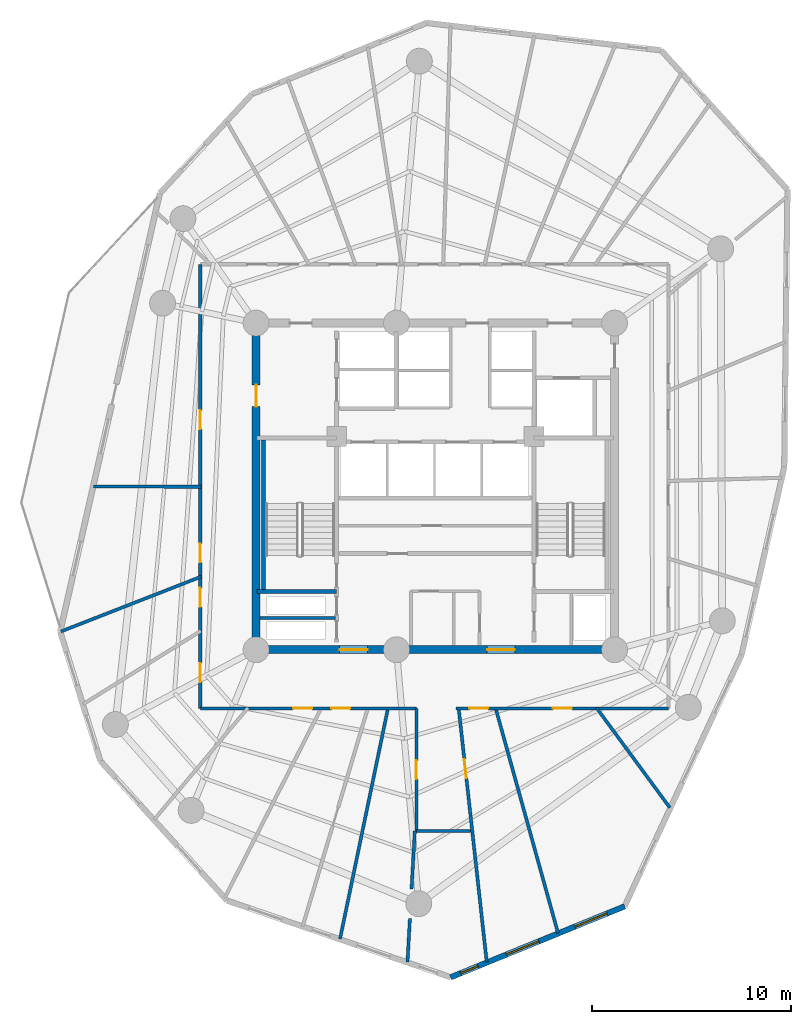
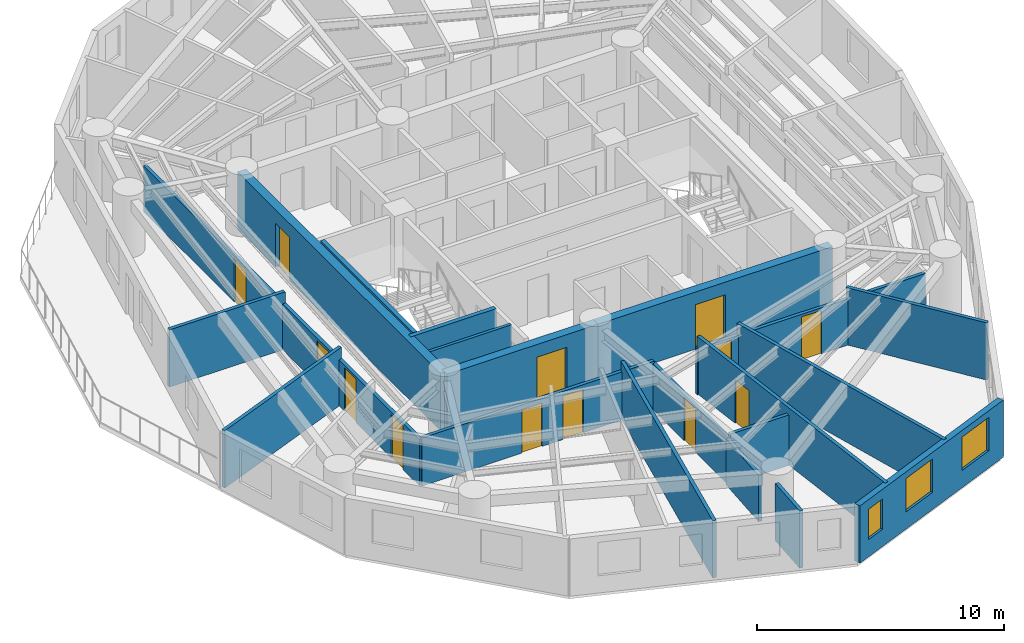
# One storey, part 3 of 9: 20 walls, 13 doors, 3 windows, 16 openings.
"""IFC4 building model written with IfcOpenShell, lengths in metres."""

from ifc_helpers import new_model, si_unit, direction, frame, frame_2d, origin, origin_with_axes, place, context, subcontext, project, spatial, rectangle, extrude, source, transform, mapped, material, layer, layer_set, type_object, element, fill, save


model = new_model("IFC4")

# Units and contexts
model_context = context("Model", 3, precision=1e-05, world=origin(), true_north=direction((0.0, 1.0)))
body_context = subcontext(model_context, "Body", "Model", "MODEL_VIEW")
ifc_project = project(units=[si_unit("LENGTHUNIT", "METRE"), si_unit("AREAUNIT", "SQUARE_METRE"), si_unit("VOLUMEUNIT", "CUBIC_METRE"), si_unit("PLANEANGLEUNIT", "RADIAN"), si_unit("MASSUNIT", "GRAM", prefix="KILO")], contexts=[model_context])

# Site, building, storey
site_placement = place(None, origin())
site = spatial("IfcSite", under=ifc_project, at=site_placement, CompositionType="ELEMENT")
building_placement = place(site_placement, origin())
building = spatial("IfcBuilding", under=site, at=building_placement, Name="Karkom Vertical University and Central Library", CompositionType="ELEMENT")
storey_placement = place(building_placement, frame((0.0, 0.0, 156.550048828125)))
storey = spatial("IfcBuildingStorey", under=building, at=storey_placement, Name="L44", CompositionType="ELEMENT", Elevation=156.550048828125)

# Wall, openings, windows
ifc_material_1 = material(Name="Brick-faced precast concrete C45/55", Category="masonry")
ifc_layer_1 = layer(ifc_material_1, 0.280029296875)
ifc_layer_set_1 = layer_set([ifc_layer_1], Name="Brick-faced precast concrete C45/55")
wall_type_1 = type_object("IfcWallType", Name="ENV-WL-BRK-280", PredefinedType="SOLIDWALL", material=ifc_layer_set_1)
wall_1_placement = place(storey_placement, frame((29.265380859375, 1.85009765625, 0.0), z_axis=(0.0, 0.0, 1.0), x_axis=(0.925942104455, 0.377665485842, 0.0)))
wall_1 = element("IfcWall", 1, at=wall_1_placement, inside=storey, type_object=wall_type_1, Name="Level 44 Brick-Faced Precast Facade Wall 04", PredefinedType="SOLIDWALL", context=body_context, shape_type="SweptSolid", body=[
    extrude(rectangle(XDim=9.44580078125, YDim=0.280029296875, at=frame_2d((4.722900390625, 0.0))), origin(), (0.0, 0.0, 1.0), 2.824951171875),
])
opening_1_placement = place(wall_1_placement, frame((0.54638671875, 0.0, 0.85009765625)))
opening_1 = element("IfcOpeningElement", 2, at=opening_1_placement, cuts=wall_1, Name="Opening WN-12", PredefinedType="OPENING", context=body_context, shape_type="SweptSolid", body=[
    extrude(rectangle(XDim=0.949951171875, YDim=1.5, at=frame_2d((0.47509765625, 0.75))), frame((0.0, 0.14990234375, 0.0), z_axis=(0.0, -1.0, 0.0), x_axis=(1.0, 0.0, 0.0)), (0.0, 0.0, 1.0), 0.300048828125),
])
opening_2_placement = place(wall_1_placement, frame((3.0361328125, 0.0, 0.85009765625)))
opening_2 = element("IfcOpeningElement", 3, at=opening_2_placement, cuts=wall_1, Name="Opening WN-08", PredefinedType="OPENING", context=body_context, shape_type="SweptSolid", body=[
    extrude(rectangle(XDim=1.75, YDim=1.64990234375, at=frame_2d((0.875, 0.824951171875))), frame((0.0, 0.14990234375, 0.0), z_axis=(0.0, -1.0, 0.0), x_axis=(1.0, 0.0, 0.0)), (0.0, 0.0, 1.0), 0.300048828125),
])
opening_3_placement = place(wall_1_placement, frame((6.73779296875, 0.0, 0.85009765625)))
opening_3 = element("IfcOpeningElement", 4, at=opening_3_placement, cuts=wall_1, Name="Opening WN-08", PredefinedType="OPENING", context=body_context, shape_type="SweptSolid", body=[
    extrude(rectangle(XDim=1.75, YDim=1.64990234375, at=frame_2d((0.875, 0.824951171875))), frame((0.0, 0.14990234375, 0.0), z_axis=(0.0, -1.0, 0.0), x_axis=(1.0, 0.0, 0.0)), (0.0, 0.0, 1.0), 0.300048828125),
])
ifc_material_2 = material(Name="Aluminium thermal-break frame with solar-control IGU", Category="aluminium")
window_type_1 = type_object("IfcWindowType", Name="ENV-WIN-WN-12", PartitioningType="SINGLE_PANEL", PredefinedType="WINDOW", material=ifc_material_2)
shared_shape_1 = source(origin_with_axes(), body_context, "Body", "SweptSolid", [
    extrude(rectangle(XDim=0.949951171875, YDim=1.5, at=frame_2d((0.47509765625, 0.75))), frame((0.0, 0.030029296875, 0.0), z_axis=(0.0, -1.0, 0.0), x_axis=(1.0, 0.0, 0.0)), (0.0, 0.0, 1.0), 0.06005859375),
])
window_1_placement = place(opening_1_placement, origin())
window_1 = element("IfcWindow", 5, at=window_1_placement, inside=storey, type_object=window_type_1, Name="Level 44 Punched Window 4.1", OverallHeight=1.5, OverallWidth=0.949951171875, PartitioningType="SINGLE_PANEL", PredefinedType="WINDOW", context=body_context, shape_type="MappedRepresentation", body=[
    mapped(shared_shape_1, transform((0.0, 0.0, 0.0), scale=1.0)),
])
fill(opening_1, window_1)
window_type_2 = type_object("IfcWindowType", Name="ENV-WIN-WN-08", PartitioningType="SINGLE_PANEL", PredefinedType="WINDOW", material=ifc_material_2)
shared_shape_2 = source(origin_with_axes(), body_context, "Body", "SweptSolid", [
    extrude(rectangle(XDim=1.75, YDim=1.64990234375, at=frame_2d((0.875, 0.824951171875))), frame((0.0, 0.030029296875, 0.0), z_axis=(0.0, -1.0, 0.0), x_axis=(1.0, 0.0, 0.0)), (0.0, 0.0, 1.0), 0.06005859375),
])
window_2_placement = place(opening_2_placement, origin())
window_2 = element("IfcWindow", 6, at=window_2_placement, inside=storey, type_object=window_type_2, Name="Level 44 Punched Window 4.2", OverallHeight=1.64990234375, OverallWidth=1.75, PartitioningType="SINGLE_PANEL", PredefinedType="WINDOW", context=body_context, shape_type="MappedRepresentation", body=[
    mapped(shared_shape_2, transform((0.0, 0.0, 0.0), scale=1.0)),
])
fill(opening_2, window_2)
window_3_placement = place(opening_3_placement, origin())
window_3 = element("IfcWindow", 7, at=window_3_placement, inside=storey, type_object=window_type_2, Name="Level 44 Punched Window 4.3", OverallHeight=1.64990234375, OverallWidth=1.75, PartitioningType="SINGLE_PANEL", PredefinedType="WINDOW", context=body_context, shape_type="MappedRepresentation", body=[
    mapped(shared_shape_2, transform((0.0, 0.0, 0.0), scale=1.0)),
])
fill(opening_3, window_3)

# Wall, openings, doors
ifc_material_3 = material(Name="Insulated metal-stud drywall 160mm", Category="gypsum")
ifc_layer_2 = layer(ifc_material_3, 0.159912109375)
ifc_layer_set_2 = layer_set([ifc_layer_2], Name="Insulated metal-stud drywall 160mm")
wall_type_2 = type_object("IfcWallType", Name="INT-WL-COR-160", PredefinedType="PARTITIONING", material=ifc_layer_set_2)
wall_2_placement = place(storey_placement, frame((16.699951171875, 15.35009765625, 0.0), z_axis=(0.0, 0.0, 1.0), x_axis=(0.0, 1.0, 0.0)))
wall_2 = element("IfcWall", 8, at=wall_2_placement, inside=storey, type_object=wall_type_2, Name="Level 44 Interior Partition Wall L44-CORW-CW-002", PredefinedType="PARTITIONING", context=body_context, shape_type="SweptSolid", body=[
    extrude(rectangle(XDim=22.2998046875, YDim=0.159912109375, at=frame_2d((11.14990234375, 0.0))), origin(), (0.0, 0.0, 1.0), 2.27490234375),
])
opening_4_placement = place(wall_2_placement, frame((7.330078125, 0.0, 0.0)))
opening_4 = element("IfcOpeningElement", 9, at=opening_4_placement, cuts=wall_2, Name="Opening D-RM1", PredefinedType="OPENING", context=body_context, shape_type="SweptSolid", body=[
    extrude(rectangle(XDim=0.949951171875, YDim=2.14990234375, at=frame_2d((0.47509765625, 1.074951171875))), frame((0.0, 0.08984375, 0.0), z_axis=(0.0, -1.0, 0.0), x_axis=(1.0, 0.0, 0.0)), (0.0, 0.0, 1.0), 0.179931640625),
])
opening_5_placement = place(wall_2_placement, frame((5.10009765625, 0.0, 0.0)))
opening_5 = element("IfcOpeningElement", 10, at=opening_5_placement, cuts=wall_2, Name="Opening FD-RM2", PredefinedType="OPENING", context=body_context, shape_type="SweptSolid", body=[
    extrude(rectangle(XDim=0.9599609375, YDim=2.14990234375, at=frame_2d((0.47998046875, 1.074951171875))), frame((0.0, 0.08984375, 0.0), z_axis=(0.0, -1.0, 0.0), x_axis=(1.0, 0.0, 0.0)), (0.0, 0.0, 1.0), 0.179931640625),
])
opening_6_placement = place(wall_2_placement, frame((1.328125, 0.0, 0.0)))
opening_6 = element("IfcOpeningElement", 11, at=opening_6_placement, cuts=wall_2, Name="Opening D-RM1", PredefinedType="OPENING", context=body_context, shape_type="SweptSolid", body=[
    extrude(rectangle(XDim=0.949951171875, YDim=2.14990234375, at=frame_2d((0.47509765625, 1.074951171875))), frame((0.0, 0.08984375, 0.0), z_axis=(0.0, -1.0, 0.0), x_axis=(1.0, 0.0, 0.0)), (0.0, 0.0, 1.0), 0.179931640625),
])
opening_7_placement = place(wall_2_placement, frame((14.02001953125, 0.0, 0.0)))
opening_7 = element("IfcOpeningElement", 12, at=opening_7_placement, cuts=wall_2, Name="Opening D-RM1", PredefinedType="OPENING", context=body_context, shape_type="SweptSolid", body=[
    extrude(rectangle(XDim=0.949951171875, YDim=2.14990234375, at=frame_2d((0.47509765625, 1.074951171875))), frame((0.0, 0.08984375, 0.0), z_axis=(0.0, -1.0, 0.0), x_axis=(1.0, 0.0, 0.0)), (0.0, 0.0, 1.0), 0.179931640625),
])
ifc_material_4 = material(Name="Fire-rated oak veneer door", Category="wood")
door_type_1 = type_object("IfcDoorType", Name="INT-DR-FRM2", OperationType="NOTDEFINED", PredefinedType="DOOR", material=ifc_material_4)
shared_shape_3 = source(origin_with_axes(), body_context, "Body", "SweptSolid", [
    extrude(rectangle(XDim=0.9599609375, YDim=2.14990234375, at=frame_2d((0.47998046875, 1.074951171875))), frame((0.0, 0.02490234375, 0.0), z_axis=(0.0, -1.0, 0.0), x_axis=(1.0, 0.0, 0.0)), (0.0, 0.0, 1.0), 0.050048828125),
])
door_1_placement = place(opening_5_placement, origin())
door_1 = element("IfcDoor", 13, at=door_1_placement, inside=storey, type_object=door_type_1, Name="Level 44 Room Entry Door 010", OperationType="SINGLE_SWING_RIGHT", OverallHeight=2.14990234375, OverallWidth=0.9599609375, PredefinedType="DOOR", context=body_context, shape_type="MappedRepresentation", body=[
    mapped(shared_shape_3, transform((0.0, 0.0, 0.0), scale=1.0)),
])
fill(opening_5, door_1)
ifc_material_5 = material(Name="Solid-core oak veneer door", Category="wood")
door_type_2 = type_object("IfcDoorType", Name="INT-DR-RM1", OperationType="NOTDEFINED", PredefinedType="DOOR", material=ifc_material_5)
shared_shape_4 = source(origin_with_axes(), body_context, "Body", "SweptSolid", [
    extrude(rectangle(XDim=0.949951171875, YDim=2.14990234375, at=frame_2d((0.47509765625, 1.074951171875))), frame((0.0, 0.02490234375, 0.0), z_axis=(0.0, -1.0, 0.0), x_axis=(1.0, 0.0, 0.0)), (0.0, 0.0, 1.0), 0.050048828125),
])
door_2_placement = place(opening_4_placement, origin())
door_2 = element("IfcDoor", 14, at=door_2_placement, inside=storey, type_object=door_type_2, Name="Level 44 Room Entry Door 000", OperationType="SINGLE_SWING_LEFT", OverallHeight=2.14990234375, OverallWidth=0.949951171875, PredefinedType="DOOR", context=body_context, shape_type="MappedRepresentation", body=[
    mapped(shared_shape_4, transform((0.0, 0.0, 0.0), scale=1.0)),
])
fill(opening_4, door_2)
door_3_placement = place(opening_6_placement, origin())
door_3 = element("IfcDoor", 15, at=door_3_placement, inside=storey, type_object=door_type_2, Name="Level 44 Room Entry Door 020", OperationType="SINGLE_SWING_LEFT", OverallHeight=2.14990234375, OverallWidth=0.949951171875, PredefinedType="DOOR", context=body_context, shape_type="MappedRepresentation", body=[
    mapped(shared_shape_4, transform((0.0, 0.0, 0.0), scale=1.0)),
])
fill(opening_6, door_3)
door_4_placement = place(opening_7_placement, origin())
door_4 = element("IfcDoor", 16, at=door_4_placement, inside=storey, type_object=door_type_2, Name="Level 44 Room Entry Door 230", OperationType="SINGLE_SWING_LEFT", OverallHeight=2.14990234375, OverallWidth=0.949951171875, PredefinedType="DOOR", context=body_context, shape_type="MappedRepresentation", body=[
    mapped(shared_shape_4, transform((0.0, 0.0, 0.0), scale=1.0)),
])
fill(opening_7, door_4)

# Wall, opening, door
wall_3_placement = place(storey_placement, frame((29.670166015625, 15.3798828125, 0.0), z_axis=(0.0, 0.0, 1.0), x_axis=(0.109963941435, -0.99393557718, 0.0)))
wall_3 = element("IfcWall", 17, at=wall_3_placement, inside=storey, type_object=wall_type_2, Name="Level 44 Interior Partition Wall L44-PW-010", PredefinedType="PARTITIONING", context=body_context, shape_type="SweptSolid", body=[
    extrude(rectangle(XDim=12.837158203125, YDim=0.159912109375, at=frame_2d((6.41845703125, 0.0))), origin(), (0.0, 0.0, 1.0), 2.824951171875),
])
opening_8_placement = place(wall_3_placement, frame((2.597900390625, 0.0, 0.0)))
opening_8 = element("IfcOpeningElement", 18, at=opening_8_placement, cuts=wall_3, Name="Opening D-RM1", PredefinedType="OPENING", context=body_context, shape_type="SweptSolid", body=[
    extrude(rectangle(XDim=0.949951171875, YDim=2.14990234375, at=frame_2d((0.47509765625, 1.074951171875))), frame((0.0, 0.08984375, 0.0), z_axis=(0.0, -1.0, 0.0), x_axis=(1.0, 0.0, 0.0)), (0.0, 0.0, 1.0), 0.179931640625),
])
door_5_placement = place(opening_8_placement, origin())
door_5 = element("IfcDoor", 19, at=door_5_placement, inside=storey, type_object=door_type_2, Name="Level 44 Room Entry Door 070", OperationType="SINGLE_SWING_LEFT", OverallHeight=2.14990234375, OverallWidth=0.949951171875, PredefinedType="DOOR", context=body_context, shape_type="MappedRepresentation", body=[
    mapped(shared_shape_4, transform((0.0, 0.0, 0.0), scale=1.0)),
])
fill(opening_8, door_5)

# Walls
wall_4_placement = place(storey_placement, frame((26.126708984375, 15.37939453125, 0.0), z_axis=(0.0, 0.0, 1.0), x_axis=(-0.203560877861, -0.979062290666, 0.0)))
element("IfcWall", 20, at=wall_4_placement, inside=storey, type_object=wall_type_2, Name="Level 44 Interior Partition Wall L44-PW-007", PredefinedType="PARTITIONING", context=body_context, shape_type="SweptSolid", body=[
    extrude(rectangle(XDim=11.84716796875, YDim=0.159912109375, at=frame_2d((5.923583984375, 0.0))), origin(), (0.0, 0.0, 1.0), 2.824951171875),
])
wall_5_placement = place(storey_placement, frame((31.5234375, 15.37890625, 0.0), z_axis=(0.0, 0.0, 1.0), x_axis=(0.267361493454, -0.963596301268, 0.0)))
element("IfcWall", 21, at=wall_5_placement, inside=storey, type_object=wall_type_2, Name="Level 44 Interior Partition Wall L44-PW-011", PredefinedType="PARTITIONING", context=body_context, shape_type="SweptSolid", body=[
    extrude(rectangle(XDim=11.728515625, YDim=0.159912109375, at=frame_2d((5.8642578125, 0.0))), origin(), (0.0, 0.0, 1.0), 2.824951171875),
])

# Wall, openings, doors
wall_6_placement = place(storey_placement, frame((27.550048828125, 15.35009765625, 0.0), z_axis=(0.0, 0.0, 1.0), x_axis=(-1.0, 0.0, 0.0)))
wall_6 = element("IfcWall", 22, at=wall_6_placement, inside=storey, type_object=wall_type_2, Name="Level 44 Interior Partition Wall L44-CORW-CW-001", PredefinedType="PARTITIONING", context=body_context, shape_type="SweptSolid", body=[
    extrude(rectangle(XDim=10.85009765625, YDim=0.159912109375, at=frame_2d((5.425048828125, 0.0))), origin(), (0.0, 0.0, 1.0), 2.375),
])
opening_9_placement = place(wall_6_placement, frame((5.239990234375, 0.0, 0.0)))
opening_9 = element("IfcOpeningElement", 23, at=opening_9_placement, cuts=wall_6, Name="Opening D-RM1", PredefinedType="OPENING", context=body_context, shape_type="SweptSolid", body=[
    extrude(rectangle(XDim=0.949951171875, YDim=2.14990234375, at=frame_2d((0.47509765625, 1.074951171875))), frame((0.0, 0.08984375, 0.0), z_axis=(0.0, -1.0, 0.0), x_axis=(1.0, 0.0, 0.0)), (0.0, 0.0, 1.0), 0.179931640625),
])
opening_10_placement = place(wall_6_placement, frame((3.322509765625, 0.0, 0.0)))
opening_10 = element("IfcOpeningElement", 24, at=opening_10_placement, cuts=wall_6, Name="Opening D-RM1", PredefinedType="OPENING", context=body_context, shape_type="SweptSolid", body=[
    extrude(rectangle(XDim=0.949951171875, YDim=2.14990234375, at=frame_2d((0.47509765625, 1.074951171875))), frame((0.0, 0.08984375, 0.0), z_axis=(0.0, -1.0, 0.0), x_axis=(1.0, 0.0, 0.0)), (0.0, 0.0, 1.0), 0.179931640625),
])
door_6_placement = place(opening_9_placement, origin())
door_6 = element("IfcDoor", 25, at=door_6_placement, inside=storey, type_object=door_type_2, Name="Level 44 Room Entry Door 030", OperationType="SINGLE_SWING_RIGHT", OverallHeight=2.14990234375, OverallWidth=0.949951171875, PredefinedType="DOOR", context=body_context, shape_type="MappedRepresentation", body=[
    mapped(shared_shape_4, transform((0.0, 0.0, 0.0), scale=1.0)),
])
fill(opening_9, door_6)
door_7_placement = place(opening_10_placement, origin())
door_7 = element("IfcDoor", 26, at=door_7_placement, inside=storey, type_object=door_type_2, Name="Level 44 Room Entry Door 040", OperationType="SINGLE_SWING_LEFT", OverallHeight=2.14990234375, OverallWidth=0.949951171875, PredefinedType="DOOR", context=body_context, shape_type="MappedRepresentation", body=[
    mapped(shared_shape_4, transform((0.0, 0.0, 0.0), scale=1.0)),
])
fill(opening_10, door_7)

wall_7_placement = place(storey_placement, frame((40.199951171875, 15.35009765625, 0.0), z_axis=(0.0, 0.0, 1.0), x_axis=(-1.0, 0.0, 0.0)))
wall_7 = element("IfcWall", 27, at=wall_7_placement, inside=storey, type_object=wall_type_2, Name="Level 44 Interior Partition Wall L44-CORW-CW-005", PredefinedType="PARTITIONING", context=body_context, shape_type="SweptSolid", body=[
    extrude(rectangle(XDim=10.64990234375, YDim=0.159912109375, at=frame_2d((5.324951171875, 0.0))), origin(), (0.0, 0.0, 1.0), 2.27490234375),
])
opening_11_placement = place(wall_7_placement, frame((9.046630859375, 0.0, 0.0)))
opening_11 = element("IfcOpeningElement", 28, at=opening_11_placement, cuts=wall_7, Name="Opening D-RM1", PredefinedType="OPENING", context=body_context, shape_type="SweptSolid", body=[
    extrude(rectangle(XDim=0.949951171875, YDim=2.14990234375, at=frame_2d((0.47509765625, 1.074951171875))), frame((0.0, 0.08984375, 0.0), z_axis=(0.0, -1.0, 0.0), x_axis=(1.0, 0.0, 0.0)), (0.0, 0.0, 1.0), 0.179931640625),
])
opening_12_placement = place(wall_7_placement, frame((4.85009765625, 0.0, 0.0)))
opening_12 = element("IfcOpeningElement", 29, at=opening_12_placement, cuts=wall_7, Name="Opening D-RM1", PredefinedType="OPENING", context=body_context, shape_type="SweptSolid", body=[
    extrude(rectangle(XDim=0.949951171875, YDim=2.14990234375, at=frame_2d((0.47509765625, 1.074951171875))), frame((0.0, 0.08984375, 0.0), z_axis=(0.0, -1.0, 0.0), x_axis=(1.0, 0.0, 0.0)), (0.0, 0.0, 1.0), 0.179931640625),
])
door_8_placement = place(opening_11_placement, origin())
door_8 = element("IfcDoor", 30, at=door_8_placement, inside=storey, type_object=door_type_2, Name="Level 44 Room Entry Door 080", OperationType="SINGLE_SWING_RIGHT", OverallHeight=2.14990234375, OverallWidth=0.949951171875, PredefinedType="DOOR", context=body_context, shape_type="MappedRepresentation", body=[
    mapped(shared_shape_4, transform((0.0, 0.0, 0.0), scale=1.0)),
])
fill(opening_11, door_8)
door_9_placement = place(opening_12_placement, origin())
door_9 = element("IfcDoor", 31, at=door_9_placement, inside=storey, type_object=door_type_2, Name="Level 44 Room Entry Door 090", OperationType="SINGLE_SWING_LEFT", OverallHeight=2.14990234375, OverallWidth=0.949951171875, PredefinedType="DOOR", context=body_context, shape_type="MappedRepresentation", body=[
    mapped(shared_shape_4, transform((0.0, 0.0, 0.0), scale=1.0)),
])
fill(opening_12, door_9)

# Walls
wall_8_placement = place(storey_placement, frame((16.741943359375, 21.968017578125, 0.0), z_axis=(0.0, 0.0, 1.0), x_axis=(-0.931359979556, -0.364099695799, 0.0)))
element("IfcWall", 32, at=wall_8_placement, inside=storey, type_object=wall_type_2, Name="Level 44 Interior Partition Wall L44-PW-001", PredefinedType="PARTITIONING", context=body_context, shape_type="SweptSolid", body=[
    extrude(rectangle(XDim=7.5576171875, YDim=0.159912109375, at=frame_2d((3.77880859375, 0.0))), origin(), (0.0, 0.0, 1.0), 2.824951171875),
])
wall_9_placement = place(storey_placement, frame((36.5888671875, 15.38623046875, 0.0), z_axis=(0.0, 0.0, 1.0), x_axis=(0.591975139888, -0.805956223224, 0.0)))
element("IfcWall", 33, at=wall_9_placement, inside=storey, type_object=wall_type_2, Name="Level 44 Interior Partition Wall L44-PW-012", PredefinedType="PARTITIONING", context=body_context, shape_type="SweptSolid", body=[
    extrude(rectangle(XDim=6.2294921875, YDim=0.159912109375, at=frame_2d((3.11474609375, 0.0))), origin(), (0.0, 0.0, 1.0), 2.824951171875),
])

# Wall, opening, door
wall_10_placement = place(storey_placement, frame((27.550048828125, 9.199951171875, 0.0), z_axis=(0.0, 0.0, 1.0), x_axis=(0.0, 1.0, 0.0)))
wall_10 = element("IfcWall", 34, at=wall_10_placement, inside=storey, type_object=wall_type_2, Name="Level 44 Interior Partition Wall L44-CORW-CW-008", PredefinedType="PARTITIONING", context=body_context, shape_type="SweptSolid", body=[
    extrude(rectangle(XDim=6.150146484375, YDim=0.159912109375, at=frame_2d((3.0751953125, 0.0))), origin(), (0.0, 0.0, 1.0), 2.27490234375),
])
opening_13_placement = place(wall_10_placement, frame((2.60009765625, 0.0, 0.0)))
opening_13 = element("IfcOpeningElement", 35, at=opening_13_placement, cuts=wall_10, Name="Opening D-RM1", PredefinedType="OPENING", context=body_context, shape_type="SweptSolid", body=[
    extrude(rectangle(XDim=0.949951171875, YDim=2.14990234375, at=frame_2d((0.47509765625, 1.074951171875))), frame((0.0, 0.08984375, 0.0), z_axis=(0.0, -1.0, 0.0), x_axis=(1.0, 0.0, 0.0)), (0.0, 0.0, 1.0), 0.179931640625),
])
door_10_placement = place(opening_13_placement, origin())
door_10 = element("IfcDoor", 36, at=door_10_placement, inside=storey, type_object=door_type_2, Name="Level 44 Room Entry Door 060", OperationType="SINGLE_SWING_RIGHT", OverallHeight=2.14990234375, OverallWidth=0.949951171875, PredefinedType="DOOR", context=body_context, shape_type="MappedRepresentation", body=[
    mapped(shared_shape_4, transform((0.0, 0.0, 0.0), scale=1.0)),
])
fill(opening_13, door_10)

# Walls
wall_11_placement = place(storey_placement, frame((11.34814453125, 26.499755859375, 0.0), z_axis=(0.0, 0.0, 1.0), x_axis=(0.999993933654, -0.003483196096, 0.0)))
element("IfcWall", 37, at=wall_11_placement, inside=storey, type_object=wall_type_2, Name="Level 44 Interior Partition Wall L44-PW-002", PredefinedType="PARTITIONING", context=body_context, shape_type="SweptSolid", body=[
    extrude(rectangle(XDim=5.39697265625, YDim=0.159912109375, at=frame_2d((2.698486328125, 0.0))), origin(), (0.0, 0.0, 1.0), 2.824951171875),
])
wall_12_placement = place(storey_placement, frame((27.469970703125, 9.191162109375, 0.0), z_axis=(0.0, 0.0, 1.0), x_axis=(-0.0559398618, -0.998434139972, 0.0)))
element("IfcWall", 38, at=wall_12_placement, inside=storey, type_object=wall_type_2, Name="Level 44 Interior Partition Wall L44-PW-008", PredefinedType="PARTITIONING", context=body_context, shape_type="SweptSolid", body=[
    extrude(rectangle(XDim=2.90673828125, YDim=0.159912109375, at=frame_2d((1.453369140625, 0.0))), origin(), (0.0, 0.0, 1.0), 2.27490234375),
])
wall_13_placement = place(storey_placement, frame((27.224365234375, 4.80908203125, 0.0), z_axis=(0.0, 0.0, 1.0), x_axis=(-0.055926613573, -0.99843488215, 0.0)))
element("IfcWall", 39, at=wall_13_placement, inside=storey, type_object=wall_type_2, Name="Level 44 Interior Partition Wall L44-PW-009", PredefinedType="PARTITIONING", context=body_context, shape_type="SweptSolid", body=[
    extrude(rectangle(XDim=2.19140625, YDim=0.159912109375, at=frame_2d((1.095703125, 0.0))), origin(), (0.0, 0.0, 1.0), 2.824951171875),
])
wall_14_placement = place(storey_placement, frame((30.266357421875, 9.199951171875, 0.0), z_axis=(0.0, 0.0, 1.0), x_axis=(-1.0, 0.0, 0.0)))
element("IfcWall", 40, at=wall_14_placement, inside=storey, type_object=wall_type_2, Name="Level 44 Interior Partition Wall L44-CORW-CW-007", PredefinedType="PARTITIONING", context=body_context, shape_type="SweptSolid", body=[
    extrude(rectangle(XDim=2.71630859375, YDim=0.159912109375, at=frame_2d((1.358154296875, 0.0))), origin(), (0.0, 0.0, 1.0), 2.494873046875),
])
ifc_material_6 = material(Name="Metal-stud gypsum partition 140mm", Category="gypsum")
ifc_layer_3 = layer(ifc_material_6, 0.139892578125)
ifc_layer_set_3 = layer_set([ifc_layer_3], Name="Metal-stud gypsum partition 140mm")
wall_type_3 = type_object("IfcWallType", Name="INT-WL-SUB-140H", PredefinedType="PARTITIONING", material=ifc_layer_set_3)
wall_15_placement = place(storey_placement, frame((19.70703125, 19.889892578125, 0.0), z_axis=(0.0, 0.0, 1.0), x_axis=(1.0, 0.0, 0.0)))
element("IfcWall", 41, at=wall_15_placement, inside=storey, type_object=wall_type_3, Name="Level 44 Interior Partition Wall L44-CW-RIS-W", PredefinedType="PARTITIONING", context=body_context, shape_type="SweptSolid", body=[
    extrude(rectangle(XDim=3.789794921875, YDim=0.139892578125, at=frame_2d((1.89501953125, 0.0))), origin(), (0.0, 0.0, 1.0), 2.824951171875),
])

# Wall, opening, door
ifc_material_7 = material(Name="Concrete C50/60", Category="concrete")
ifc_layer_4 = layer(ifc_material_7, 0.39990234375)
ifc_layer_set_4 = layer_set([ifc_layer_4], Name="Concrete C50/60")
wall_type_4 = type_object("IfcWallType", Name="STR-WL-CW-400", PredefinedType="SHEAR", material=ifc_layer_set_4)
wall_16_placement = place(storey_placement, frame((19.5, 18.300048828125, 0.0), z_axis=(0.0, 0.0, 1.0), x_axis=(1.0, 0.0, 0.0)))
wall_16 = element("IfcWall", 42, at=wall_16_placement, inside=storey, type_object=wall_type_4, Name="Level 44 Central Core Shear Wall SW1", PredefinedType="SHEAR", context=body_context, shape_type="SweptSolid", body=[
    extrude(rectangle(XDim=7.050048828125, YDim=0.39990234375, at=frame_2d((3.52490234375, 0.0))), origin(), (0.0, 0.0, 1.0), 2.824951171875),
])
opening_14_placement = place(wall_16_placement, frame((4.199951171875, 0.0, 0.0)))
opening_14 = element("IfcOpeningElement", 43, at=opening_14_placement, cuts=wall_16, Name="Opening FD-CLB", PredefinedType="OPENING", context=body_context, shape_type="SweptSolid", body=[
    extrude(rectangle(XDim=1.39990234375, YDim=2.199951171875, at=frame_2d((0.699951171875, 1.10009765625))), frame((0.0, 0.2099609375, 0.0), z_axis=(0.0, -1.0, 0.0), x_axis=(1.0, 0.0, 0.0)), (0.0, 0.0, 1.0), 0.419921875),
])
ifc_material_8 = material(Name="Painted steel fire door", Category="steel")
door_type_3 = type_object("IfcDoorType", Name="INT-DR-CLB", OperationType="DOUBLE_DOOR_SINGLE_SWING", PredefinedType="DOOR", material=ifc_material_8)
shared_shape_5 = source(origin_with_axes(), body_context, "Body", "SweptSolid", [
    extrude(rectangle(XDim=1.39990234375, YDim=2.199951171875, at=frame_2d((0.699951171875, 1.10009765625))), frame((0.0, 0.02490234375, 0.0), z_axis=(0.0, -1.0, 0.0), x_axis=(1.0, 0.0, 0.0)), (0.0, 0.0, 1.0), 0.050048828125),
])
door_11_placement = place(opening_14_placement, origin())
door_11 = element("IfcDoor", 44, at=door_11_placement, inside=storey, type_object=door_type_3, Name="Level 44 South Core Lobby West Exit Door", OperationType="DOUBLE_DOOR_SINGLE_SWING", OverallHeight=2.199951171875, OverallWidth=1.39990234375, PredefinedType="DOOR", context=body_context, shape_type="MappedRepresentation", body=[
    mapped(shared_shape_5, transform((0.0, 0.0, 0.0), scale=1.0)),
])
fill(opening_14, door_11)

wall_17_placement = place(storey_placement, frame((26.550048828125, 18.300048828125, 0.0), z_axis=(0.0, 0.0, 1.0), x_axis=(1.0, 0.0, 0.0)))
wall_17 = element("IfcWall", 45, at=wall_17_placement, inside=storey, type_object=wall_type_4, Name="Level 44 Central Core Shear Wall SW2", PredefinedType="SHEAR", context=body_context, shape_type="SweptSolid", body=[
    extrude(rectangle(XDim=10.949951171875, YDim=0.39990234375, at=frame_2d((5.47509765625, 0.0))), origin(), (0.0, 0.0, 1.0), 2.824951171875),
])
opening_15_placement = place(wall_17_placement, frame((4.550048828125, 0.0, 0.0)))
opening_15 = element("IfcOpeningElement", 46, at=opening_15_placement, cuts=wall_17, Name="Opening FD-CLB", PredefinedType="OPENING", context=body_context, shape_type="SweptSolid", body=[
    extrude(rectangle(XDim=1.39990234375, YDim=2.199951171875, at=frame_2d((0.699951171875, 1.10009765625))), frame((0.0, 0.2099609375, 0.0), z_axis=(0.0, -1.0, 0.0), x_axis=(1.0, 0.0, 0.0)), (0.0, 0.0, 1.0), 0.419921875),
])
door_12_placement = place(opening_15_placement, origin())
door_12 = element("IfcDoor", 47, at=door_12_placement, inside=storey, type_object=door_type_3, Name="Level 44 South Core Lobby East Exit Door", OperationType="DOUBLE_DOOR_SINGLE_SWING", OverallHeight=2.199951171875, OverallWidth=1.39990234375, PredefinedType="DOOR", context=body_context, shape_type="MappedRepresentation", body=[
    mapped(shared_shape_5, transform((0.0, 0.0, 0.0), scale=1.0)),
])
fill(opening_15, door_12)

wall_18_placement = place(storey_placement, frame((19.5, 34.699951171875, 0.0), z_axis=(0.0, 0.0, 1.0), x_axis=(0.0, -1.0, 0.0)))
wall_18 = element("IfcWall", 48, at=wall_18_placement, inside=storey, type_object=wall_type_4, Name="Level 44 Central Core Shear Wall WW", PredefinedType="SHEAR", context=body_context, shape_type="SweptSolid", body=[
    extrude(rectangle(XDim=16.39990234375, YDim=0.39990234375, at=frame_2d((8.199951171875, 0.0))), origin(), (0.0, 0.0, 1.0), 2.824951171875),
])
opening_16_placement = place(wall_18_placement, frame((3.10009765625, 0.0, 0.0)))
opening_16 = element("IfcOpeningElement", 49, at=opening_16_placement, cuts=wall_18, Name="Opening FD-FFL", PredefinedType="OPENING", context=body_context, shape_type="SweptSolid", body=[
    extrude(rectangle(XDim=1.10009765625, YDim=2.14990234375, at=frame_2d((0.550048828125, 1.074951171875))), frame((0.0, 0.2099609375, 0.0), z_axis=(0.0, -1.0, 0.0), x_axis=(1.0, 0.0, 0.0)), (0.0, 0.0, 1.0), 0.419921875),
])
ifc_material_9 = material(Name="Painted steel smoke-seal fire door", Category="steel")
door_type_4 = type_object("IfcDoorType", Name="INT-DR-FFL", OperationType="NOTDEFINED", PredefinedType="DOOR", material=ifc_material_9)
shared_shape_6 = source(origin_with_axes(), body_context, "Body", "SweptSolid", [
    extrude(rectangle(XDim=1.10009765625, YDim=2.14990234375, at=frame_2d((0.550048828125, 1.074951171875))), frame((0.0, 0.02490234375, 0.0), z_axis=(0.0, -1.0, 0.0), x_axis=(1.0, 0.0, 0.0)), (0.0, 0.0, 1.0), 0.050048828125),
])
door_13_placement = place(opening_16_placement, origin())
door_13 = element("IfcDoor", 50, at=door_13_placement, inside=storey, type_object=door_type_4, Name="Level 44 West Corridor Firefighting Lobby Door", OperationType="SINGLE_SWING_RIGHT", OverallHeight=2.14990234375, OverallWidth=1.10009765625, PredefinedType="DOOR", context=body_context, shape_type="MappedRepresentation", body=[
    mapped(shared_shape_6, transform((0.0, 0.0, 0.0), scale=1.0)),
])
fill(opening_16, door_13)

# Walls
ifc_material_10 = material(Name="Concrete C45/55", Category="concrete")
ifc_layer_5 = layer(ifc_material_10, 0.199951171875)
ifc_layer_set_5 = layer_set([ifc_layer_5], Name="Concrete C45/55")
wall_type_5 = type_object("IfcWallType", Name="STR-WL-ST-200", PredefinedType="SHEAR", material=ifc_layer_set_5)
wall_19_placement = place(storey_placement, frame((19.875, 21.320068359375, 0.0), z_axis=(0.0, 0.0, 1.0), x_axis=(0.0, 1.0, 0.0)))
element("IfcWall", 51, at=wall_19_placement, inside=storey, type_object=wall_type_5, Name="Level 44 Core Shaft Wall L44-CW-ST1-W", PredefinedType="SHEAR", context=body_context, shape_type="SweptSolid", body=[
    extrude(rectangle(XDim=7.5, YDim=0.199951171875, at=frame_2d((3.75, 0.0))), origin(), (0.0, 0.0, 1.0), 2.824951171875),
])
wall_20_placement = place(storey_placement, frame((19.550048828125, 21.215087890625, 0.0), z_axis=(0.0, 0.0, 1.0), x_axis=(1.0, 0.0, 0.0)))
element("IfcWall", 52, at=wall_20_placement, inside=storey, type_object=wall_type_5, Name="Level 44 Core Shaft Wall L44-CW-ST1-S", PredefinedType="SHEAR", context=body_context, shape_type="SweptSolid", body=[
    extrude(rectangle(XDim=3.994873046875, YDim=0.199951171875, at=frame_2d((1.99755859375, 0.0))), origin(), (0.0, 0.0, 1.0), 2.824951171875),
])

save(model, "model.ifc")
